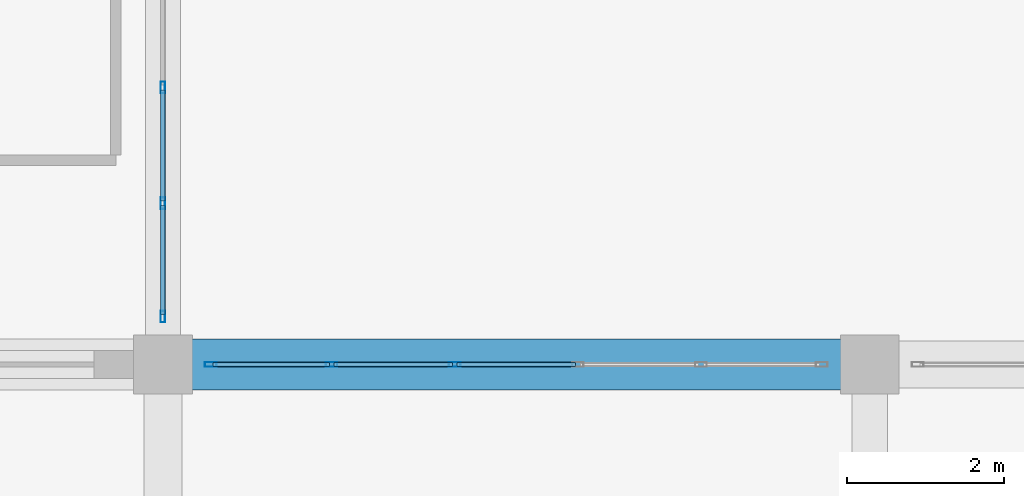
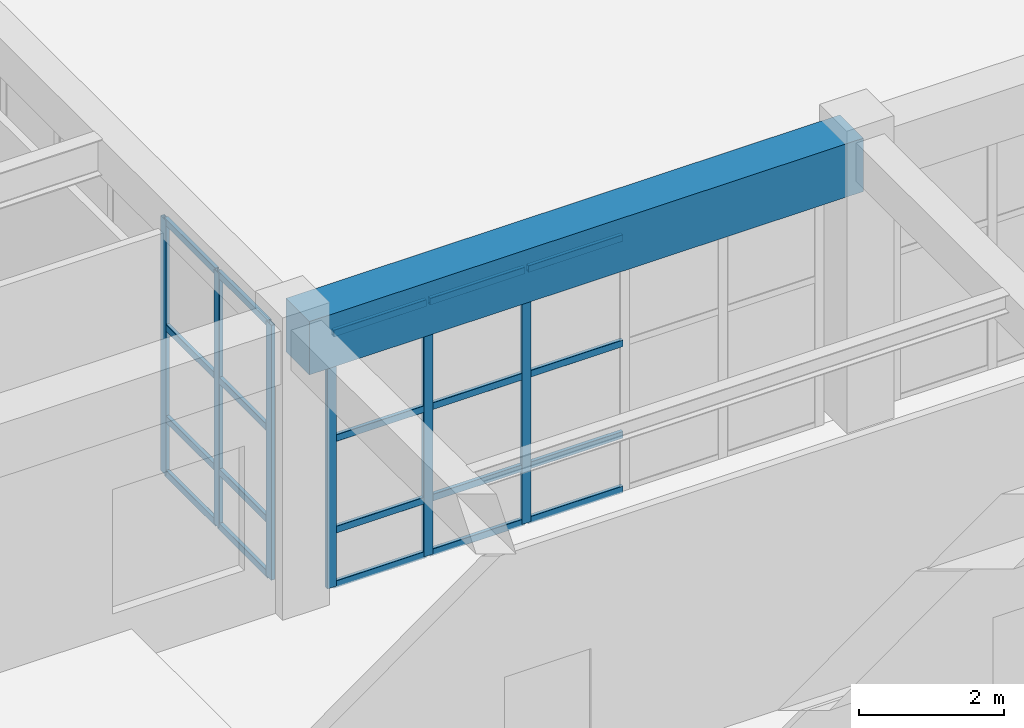
# One storey, part 53 of 128: 26 members, 1 beam, 2 elements without a shape of their own.
"""IFC4 building model written with IfcOpenShell, lengths in metres."""

from ifc_helpers import new_model, si_unit, direction, frame, origin, origin_2d, place, context, subcontext, project, spatial, rectangle, hollow_rectangle, extrude, material, material_profile, profile_set, type_object, element, aggregate, save


model = new_model("IFC4")

# Units and contexts
model_context = context("Model", 3, precision=1e-05, world=origin(), true_north=direction((0.0, 1.0)))
body_context = subcontext(model_context, "Body", "Model", "MODEL_VIEW")
ifc_project = project(units=[si_unit("LENGTHUNIT", "METRE"), si_unit("AREAUNIT", "SQUARE_METRE"), si_unit("VOLUMEUNIT", "CUBIC_METRE"), si_unit("PLANEANGLEUNIT", "RADIAN"), si_unit("MASSUNIT", "GRAM", prefix="KILO")], contexts=[model_context])

# Site, building, storey
site_placement = place(None, origin())
site = spatial("IfcSite", under=ifc_project, at=site_placement, CompositionType="ELEMENT")
building_placement = place(site_placement, origin())
building = spatial("IfcBuilding", under=site, at=building_placement, Name="Miravela Opera House", CompositionType="ELEMENT")
storey_placement = place(building_placement, origin())
storey = spatial("IfcBuildingStorey", under=building, at=storey_placement, Name="L00", CompositionType="ELEMENT", Elevation=0.0)

# Curtain wall, members
ifc_material_1 = material(Name="Anodised architectural bronze aluminium 6063-T6", Category="aluminium")
curtain_wall_type = type_object("IfcCurtainWallType", Name="ARC-CW-04", PredefinedType="NOTDEFINED", material=ifc_material_1)
curtain_wall_1_placement = place(storey_placement, origin())
curtain_wall_1 = element("IfcCurtainWall", 1, at=curtain_wall_1_placement, inside=storey, type_object=curtain_wall_type, Name="Courtyard Arcade Curtain Wall CW-L00-067", PredefinedType="NOTDEFINED")
ifc_material_profile_1 = material_profile(ifc_material_1, hollow_rectangle(XDim=0.06005859375, YDim=0.14990234375, WallThickness=0.00390625, InnerFilletRadius=0.001953125, OuterFilletRadius=0.00390625, at=origin_2d()), Name="CWM-60X150")
ifc_profile_set_1 = profile_set([ifc_material_profile_1])
member_type_1 = type_object("IfcMemberType", Name="ARC-CWM-150", PredefinedType="MULLION", material=ifc_profile_set_1)
member_1_placement = place(storey_placement, frame((27.610107421875, 84.0, 0.0), z_axis=(0.0, 0.0, 1.0), x_axis=(0.0, 1.0, 0.0)))
member_1 = element("IfcMember", 2, at=member_1_placement, type_object=member_type_1, Name="CW-04 mullion 1", PredefinedType="MULLION", context=body_context, shape_type="SweptSolid", body=[
    extrude(hollow_rectangle(XDim=0.06005859375, YDim=0.14990234375, WallThickness=0.00390625, InnerFilletRadius=0.001953125, OuterFilletRadius=0.00390625, at=origin_2d()), origin(), (0.0, 0.0, 1.0), 4.300048828125),
])
member_2_placement = place(storey_placement, frame((29.14794921875, 84.0, 0.0), z_axis=(0.0, 0.0, 1.0), x_axis=(0.0, 1.0, 0.0)))
member_2 = element("IfcMember", 3, at=member_2_placement, type_object=member_type_1, Name="CW-04 mullion 2", PredefinedType="MULLION", context=body_context, shape_type="SweptSolid", body=[
    extrude(hollow_rectangle(XDim=0.06005859375, YDim=0.14990234375, WallThickness=0.00390625, InnerFilletRadius=0.001953125, OuterFilletRadius=0.00390625, at=origin_2d()), origin(), (0.0, 0.0, 1.0), 4.300048828125),
])
member_3_placement = place(storey_placement, frame((30.716064453125, 84.0, 0.0), z_axis=(0.0, 0.0, 1.0), x_axis=(0.0, 1.0, 0.0)))
member_3 = element("IfcMember", 4, at=member_3_placement, type_object=member_type_1, Name="CW-04 mullion 3", PredefinedType="MULLION", context=body_context, shape_type="SweptSolid", body=[
    extrude(hollow_rectangle(XDim=0.06005859375, YDim=0.14990234375, WallThickness=0.00390625, InnerFilletRadius=0.001953125, OuterFilletRadius=0.00390625, at=origin_2d()), origin(), (0.0, 0.0, 1.0), 4.300048828125),
])

curtain_wall_2_placement = place(storey_placement, origin())
curtain_wall_2 = element("IfcCurtainWall", 5, at=curtain_wall_2_placement, inside=storey, type_object=curtain_wall_type, Name="Courtyard Arcade Curtain Wall CW-L00-075", PredefinedType="NOTDEFINED")
member_4_placement = place(storey_placement, frame((27.0, 84.610107421875, 0.0), z_axis=(0.0, 0.0, 1.0), x_axis=(-1.0, 0.0, 0.0)))
member_4 = element("IfcMember", 6, at=member_4_placement, type_object=member_type_1, Name="CW-04 mullion 1", PredefinedType="MULLION", context=body_context, shape_type="SweptSolid", body=[
    extrude(hollow_rectangle(XDim=0.06005859375, YDim=0.14990234375, WallThickness=0.00390625, InnerFilletRadius=0.001953125, OuterFilletRadius=0.00390625, at=origin_2d()), origin(), (0.0, 0.0, 1.0), 4.300048828125),
])
member_5_placement = place(storey_placement, frame((27.0, 86.05322265625, 0.0), z_axis=(0.0, 0.0, 1.0), x_axis=(-1.0, 0.0, 0.0)))
member_5 = element("IfcMember", 7, at=member_5_placement, type_object=member_type_1, Name="CW-04 mullion 2", PredefinedType="MULLION", context=body_context, shape_type="SweptSolid", body=[
    extrude(hollow_rectangle(XDim=0.06005859375, YDim=0.14990234375, WallThickness=0.00390625, InnerFilletRadius=0.001953125, OuterFilletRadius=0.00390625, at=origin_2d()), origin(), (0.0, 0.0, 1.0), 4.300048828125),
])
member_6_placement = place(storey_placement, frame((27.0, 87.526611328125, 0.0), z_axis=(0.0, 0.0, 1.0), x_axis=(-1.0, 0.0, 0.0)))
member_6 = element("IfcMember", 8, at=member_6_placement, type_object=member_type_1, Name="CW-04 mullion 3", PredefinedType="MULLION", context=body_context, shape_type="SweptSolid", body=[
    extrude(hollow_rectangle(XDim=0.06005859375, YDim=0.14990234375, WallThickness=0.00390625, InnerFilletRadius=0.001953125, OuterFilletRadius=0.00390625, at=origin_2d()), origin(), (0.0, 0.0, 1.0), 4.300048828125),
])

# Member
ifc_material_profile_2 = material_profile(ifc_material_1, hollow_rectangle(XDim=0.06005859375, YDim=0.114990234375, WallThickness=0.00390625, InnerFilletRadius=0.001953125, OuterFilletRadius=0.00390625, at=origin_2d()), Name="CWT-60X115")
ifc_profile_set_2 = profile_set([ifc_material_profile_2])
member_type_2 = type_object("IfcMemberType", Name="ARC-CWT-115", PredefinedType="USERDEFINED", material=ifc_profile_set_2)
member_7_placement = place(storey_placement, frame((27.639892578125, 84.0, 0.030029296875), z_axis=(1.0, 0.0, 0.0), x_axis=(0.0, 1.0, 0.0)))
member_7 = element("IfcMember", 9, at=member_7_placement, type_object=member_type_2, Name="CW-04 transom 1.1", ObjectType="TRANSOM", PredefinedType="USERDEFINED", context=body_context, shape_type="SweptSolid", body=[
    extrude(hollow_rectangle(XDim=0.06005859375, YDim=0.114990234375, WallThickness=0.00390625, InnerFilletRadius=0.001953125, OuterFilletRadius=0.00390625, at=origin_2d()), origin(), (0.0, 0.0, 1.0), 1.47802734375),
])

member_8_placement = place(storey_placement, frame((27.639892578125, 84.0, 0.949951171875), z_axis=(1.0, 0.0, 0.0), x_axis=(0.0, 1.0, 0.0)))
member_8 = element("IfcMember", 10, at=member_8_placement, type_object=member_type_2, Name="CW-04 transom 1.2", ObjectType="TRANSOM", PredefinedType="USERDEFINED", context=body_context, shape_type="SweptSolid", body=[
    extrude(hollow_rectangle(XDim=0.06005859375, YDim=0.114990234375, WallThickness=0.00390625, InnerFilletRadius=0.001953125, OuterFilletRadius=0.00390625, at=origin_2d()), origin(), (0.0, 0.0, 1.0), 1.47802734375),
])

member_9_placement = place(storey_placement, frame((27.639892578125, 84.0, 2.493896484375), z_axis=(1.0, 0.0, 0.0), x_axis=(0.0, 1.0, 0.0)))
member_9 = element("IfcMember", 11, at=member_9_placement, type_object=member_type_2, Name="CW-04 transom 1.3", ObjectType="TRANSOM", PredefinedType="USERDEFINED", context=body_context, shape_type="SweptSolid", body=[
    extrude(hollow_rectangle(XDim=0.06005859375, YDim=0.114990234375, WallThickness=0.00390625, InnerFilletRadius=0.001953125, OuterFilletRadius=0.00390625, at=origin_2d()), origin(), (0.0, 0.0, 1.0), 1.47802734375),
])

member_10_placement = place(storey_placement, frame((27.639892578125, 84.0, 4.27001953125), z_axis=(1.0, 0.0, 0.0), x_axis=(0.0, 1.0, 0.0)))
member_10 = element("IfcMember", 12, at=member_10_placement, type_object=member_type_2, Name="CW-04 transom 1.4", ObjectType="TRANSOM", PredefinedType="USERDEFINED", context=body_context, shape_type="SweptSolid", body=[
    extrude(hollow_rectangle(XDim=0.06005859375, YDim=0.114990234375, WallThickness=0.00390625, InnerFilletRadius=0.001953125, OuterFilletRadius=0.00390625, at=origin_2d()), origin(), (0.0, 0.0, 1.0), 1.47802734375),
])

member_11_placement = place(storey_placement, frame((29.177978515625, 84.0, 0.030029296875), z_axis=(1.0, 0.0, 0.0), x_axis=(0.0, 1.0, 0.0)))
member_11 = element("IfcMember", 13, at=member_11_placement, type_object=member_type_2, Name="CW-04 transom 2.1", ObjectType="TRANSOM", PredefinedType="USERDEFINED", context=body_context, shape_type="SweptSolid", body=[
    extrude(hollow_rectangle(XDim=0.06005859375, YDim=0.114990234375, WallThickness=0.00390625, InnerFilletRadius=0.001953125, OuterFilletRadius=0.00390625, at=origin_2d()), origin(), (0.0, 0.0, 1.0), 1.508056640625),
])

member_12_placement = place(storey_placement, frame((29.177978515625, 84.0, 0.949951171875), z_axis=(1.0, 0.0, 0.0), x_axis=(0.0, 1.0, 0.0)))
member_12 = element("IfcMember", 14, at=member_12_placement, type_object=member_type_2, Name="CW-04 transom 2.2", ObjectType="TRANSOM", PredefinedType="USERDEFINED", context=body_context, shape_type="SweptSolid", body=[
    extrude(hollow_rectangle(XDim=0.06005859375, YDim=0.114990234375, WallThickness=0.00390625, InnerFilletRadius=0.001953125, OuterFilletRadius=0.00390625, at=origin_2d()), origin(), (0.0, 0.0, 1.0), 1.508056640625),
])

member_13_placement = place(storey_placement, frame((29.177978515625, 84.0, 2.493896484375), z_axis=(1.0, 0.0, 0.0), x_axis=(0.0, 1.0, 0.0)))
member_13 = element("IfcMember", 15, at=member_13_placement, type_object=member_type_2, Name="CW-04 transom 2.3", ObjectType="TRANSOM", PredefinedType="USERDEFINED", context=body_context, shape_type="SweptSolid", body=[
    extrude(hollow_rectangle(XDim=0.06005859375, YDim=0.114990234375, WallThickness=0.00390625, InnerFilletRadius=0.001953125, OuterFilletRadius=0.00390625, at=origin_2d()), origin(), (0.0, 0.0, 1.0), 1.508056640625),
])

member_14_placement = place(storey_placement, frame((29.177978515625, 84.0, 4.27001953125), z_axis=(1.0, 0.0, 0.0), x_axis=(0.0, 1.0, 0.0)))
member_14 = element("IfcMember", 16, at=member_14_placement, type_object=member_type_2, Name="CW-04 transom 2.4", ObjectType="TRANSOM", PredefinedType="USERDEFINED", context=body_context, shape_type="SweptSolid", body=[
    extrude(hollow_rectangle(XDim=0.06005859375, YDim=0.114990234375, WallThickness=0.00390625, InnerFilletRadius=0.001953125, OuterFilletRadius=0.00390625, at=origin_2d()), origin(), (0.0, 0.0, 1.0), 1.508056640625),
])

member_15_placement = place(storey_placement, frame((30.74609375, 84.0, 0.030029296875), z_axis=(1.0, 0.0, 0.0), x_axis=(0.0, 1.0, 0.0)))
member_15 = element("IfcMember", 17, at=member_15_placement, type_object=member_type_2, Name="CW-04 transom 3.1", ObjectType="TRANSOM", PredefinedType="USERDEFINED", context=body_context, shape_type="SweptSolid", body=[
    extrude(hollow_rectangle(XDim=0.06005859375, YDim=0.114990234375, WallThickness=0.00390625, InnerFilletRadius=0.001953125, OuterFilletRadius=0.00390625, at=origin_2d()), origin(), (0.0, 0.0, 1.0), 1.5078125),
])

member_16_placement = place(storey_placement, frame((30.74609375, 84.0, 0.949951171875), z_axis=(1.0, 0.0, 0.0), x_axis=(0.0, 1.0, 0.0)))
member_16 = element("IfcMember", 18, at=member_16_placement, type_object=member_type_2, Name="CW-04 transom 3.2", ObjectType="TRANSOM", PredefinedType="USERDEFINED", context=body_context, shape_type="SweptSolid", body=[
    extrude(hollow_rectangle(XDim=0.06005859375, YDim=0.114990234375, WallThickness=0.00390625, InnerFilletRadius=0.001953125, OuterFilletRadius=0.00390625, at=origin_2d()), origin(), (0.0, 0.0, 1.0), 1.5078125),
])

member_17_placement = place(storey_placement, frame((30.74609375, 84.0, 2.493896484375), z_axis=(1.0, 0.0, 0.0), x_axis=(0.0, 1.0, 0.0)))
member_17 = element("IfcMember", 19, at=member_17_placement, type_object=member_type_2, Name="CW-04 transom 3.3", ObjectType="TRANSOM", PredefinedType="USERDEFINED", context=body_context, shape_type="SweptSolid", body=[
    extrude(hollow_rectangle(XDim=0.06005859375, YDim=0.114990234375, WallThickness=0.00390625, InnerFilletRadius=0.001953125, OuterFilletRadius=0.00390625, at=origin_2d()), origin(), (0.0, 0.0, 1.0), 1.5078125),
])

member_18_placement = place(storey_placement, frame((30.74609375, 84.0, 4.27001953125), z_axis=(1.0, 0.0, 0.0), x_axis=(0.0, 1.0, 0.0)))
member_18 = element("IfcMember", 20, at=member_18_placement, type_object=member_type_2, Name="CW-04 transom 3.4", ObjectType="TRANSOM", PredefinedType="USERDEFINED", context=body_context, shape_type="SweptSolid", body=[
    extrude(hollow_rectangle(XDim=0.06005859375, YDim=0.114990234375, WallThickness=0.00390625, InnerFilletRadius=0.001953125, OuterFilletRadius=0.00390625, at=origin_2d()), origin(), (0.0, 0.0, 1.0), 1.5078125),
])

aggregate(curtain_wall_1, [member_1, member_2, member_3, member_7, member_8, member_9, member_10, member_11, member_12, member_13, member_14, member_15, member_16, member_17, member_18])

member_19_placement = place(storey_placement, frame((27.0, 84.639892578125, 0.030029296875), z_axis=(0.0, 1.0, 0.0), x_axis=(-1.0, 0.0, 0.0)))
member_19 = element("IfcMember", 21, at=member_19_placement, type_object=member_type_2, Name="CW-04 transom 1.1", ObjectType="TRANSOM", PredefinedType="USERDEFINED", context=body_context, shape_type="SweptSolid", body=[
    extrude(hollow_rectangle(XDim=0.06005859375, YDim=0.114990234375, WallThickness=0.00390625, InnerFilletRadius=0.001953125, OuterFilletRadius=0.00390625, at=origin_2d()), origin(), (0.0, 0.0, 1.0), 1.383544921875),
])

member_20_placement = place(storey_placement, frame((27.0, 84.639892578125, 0.949951171875), z_axis=(0.0, 1.0, 0.0), x_axis=(-1.0, 0.0, 0.0)))
member_20 = element("IfcMember", 22, at=member_20_placement, type_object=member_type_2, Name="CW-04 transom 1.2", ObjectType="TRANSOM", PredefinedType="USERDEFINED", context=body_context, shape_type="SweptSolid", body=[
    extrude(hollow_rectangle(XDim=0.06005859375, YDim=0.114990234375, WallThickness=0.00390625, InnerFilletRadius=0.001953125, OuterFilletRadius=0.00390625, at=origin_2d()), origin(), (0.0, 0.0, 1.0), 1.383544921875),
])

member_21_placement = place(storey_placement, frame((27.0, 84.639892578125, 2.493896484375), z_axis=(0.0, 1.0, 0.0), x_axis=(-1.0, 0.0, 0.0)))
member_21 = element("IfcMember", 23, at=member_21_placement, type_object=member_type_2, Name="CW-04 transom 1.3", ObjectType="TRANSOM", PredefinedType="USERDEFINED", context=body_context, shape_type="SweptSolid", body=[
    extrude(hollow_rectangle(XDim=0.06005859375, YDim=0.114990234375, WallThickness=0.00390625, InnerFilletRadius=0.001953125, OuterFilletRadius=0.00390625, at=origin_2d()), origin(), (0.0, 0.0, 1.0), 1.383544921875),
])

member_22_placement = place(storey_placement, frame((27.0, 84.639892578125, 4.27001953125), z_axis=(0.0, 1.0, 0.0), x_axis=(-1.0, 0.0, 0.0)))
member_22 = element("IfcMember", 24, at=member_22_placement, type_object=member_type_2, Name="CW-04 transom 1.4", ObjectType="TRANSOM", PredefinedType="USERDEFINED", context=body_context, shape_type="SweptSolid", body=[
    extrude(hollow_rectangle(XDim=0.06005859375, YDim=0.114990234375, WallThickness=0.00390625, InnerFilletRadius=0.001953125, OuterFilletRadius=0.00390625, at=origin_2d()), origin(), (0.0, 0.0, 1.0), 1.383544921875),
])

member_23_placement = place(storey_placement, frame((27.0, 86.083251953125, 0.030029296875), z_axis=(0.0, 1.0, 0.0), x_axis=(-1.0, 0.0, 0.0)))
member_23 = element("IfcMember", 25, at=member_23_placement, type_object=member_type_2, Name="CW-04 transom 2.1", ObjectType="TRANSOM", PredefinedType="USERDEFINED", context=body_context, shape_type="SweptSolid", body=[
    extrude(hollow_rectangle(XDim=0.06005859375, YDim=0.114990234375, WallThickness=0.00390625, InnerFilletRadius=0.001953125, OuterFilletRadius=0.00390625, at=origin_2d()), origin(), (0.0, 0.0, 1.0), 1.413330078125),
])

member_24_placement = place(storey_placement, frame((27.0, 86.083251953125, 0.949951171875), z_axis=(0.0, 1.0, 0.0), x_axis=(-1.0, 0.0, 0.0)))
member_24 = element("IfcMember", 26, at=member_24_placement, type_object=member_type_2, Name="CW-04 transom 2.2", ObjectType="TRANSOM", PredefinedType="USERDEFINED", context=body_context, shape_type="SweptSolid", body=[
    extrude(hollow_rectangle(XDim=0.06005859375, YDim=0.114990234375, WallThickness=0.00390625, InnerFilletRadius=0.001953125, OuterFilletRadius=0.00390625, at=origin_2d()), origin(), (0.0, 0.0, 1.0), 1.413330078125),
])

member_25_placement = place(storey_placement, frame((27.0, 86.083251953125, 2.493896484375), z_axis=(0.0, 1.0, 0.0), x_axis=(-1.0, 0.0, 0.0)))
member_25 = element("IfcMember", 27, at=member_25_placement, type_object=member_type_2, Name="CW-04 transom 2.3", ObjectType="TRANSOM", PredefinedType="USERDEFINED", context=body_context, shape_type="SweptSolid", body=[
    extrude(hollow_rectangle(XDim=0.06005859375, YDim=0.114990234375, WallThickness=0.00390625, InnerFilletRadius=0.001953125, OuterFilletRadius=0.00390625, at=origin_2d()), origin(), (0.0, 0.0, 1.0), 1.413330078125),
])

member_26_placement = place(storey_placement, frame((27.0, 86.083251953125, 4.27001953125), z_axis=(0.0, 1.0, 0.0), x_axis=(-1.0, 0.0, 0.0)))
member_26 = element("IfcMember", 28, at=member_26_placement, type_object=member_type_2, Name="CW-04 transom 2.4", ObjectType="TRANSOM", PredefinedType="USERDEFINED", context=body_context, shape_type="SweptSolid", body=[
    extrude(hollow_rectangle(XDim=0.06005859375, YDim=0.114990234375, WallThickness=0.00390625, InnerFilletRadius=0.001953125, OuterFilletRadius=0.00390625, at=origin_2d()), origin(), (0.0, 0.0, 1.0), 1.413330078125),
])

aggregate(curtain_wall_2, [member_4, member_5, member_6, member_19, member_20, member_21, member_22, member_23, member_24, member_25, member_26])

# Beam
ifc_material_2 = material(Name="Concrete C40/50", Category="concrete")
ifc_material_profile_3 = material_profile(ifc_material_2, rectangle(XDim=0.64990234375, YDim=0.89990234375, at=origin_2d()), Name="RC-BM-650X900")
ifc_profile_set_3 = profile_set([ifc_material_profile_3])
beam_type = type_object("IfcBeamType", Name="STR-BM-RC650X900", PredefinedType="BEAM", material=ifc_profile_set_3)
beam_placement = place(storey_placement, frame((27.080078125, 84.0, 4.39990234375), z_axis=(1.0, 0.0, 0.0), x_axis=(0.0, 1.0, 0.0)))
element("IfcBeam", 29, at=beam_placement, inside=storey, type_object=beam_type, Name="Floor Girder L00 4-5/J", PredefinedType="BEAM", context=body_context, shape_type="SweptSolid", body=[
    extrude(rectangle(XDim=0.64990234375, YDim=0.89990234375, at=origin_2d()), origin(), (0.0, 0.0, 1.0), 8.83984375),
])

save(model, "model.ifc")
